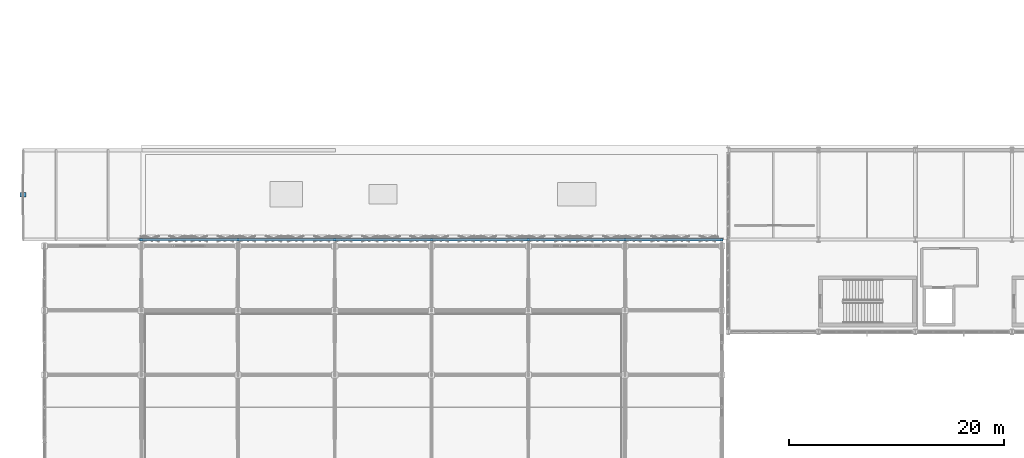
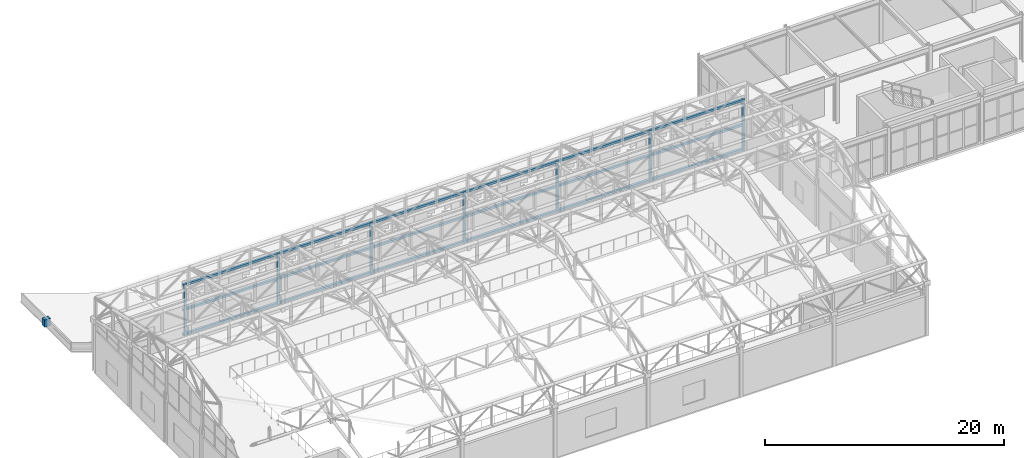
# One storey, part 99 of 112: 11 discrete accessories.
"""IFC4 building model written with IfcOpenShell, lengths in metres."""

from ifc_helpers import new_model, si_unit, direction, frame, origin, origin_2d, place, context, subcontext, project, spatial, rectangle, extrude, material, type_object, element, save


model = new_model("IFC4")

# Units and contexts
model_context = context("Model", 3, precision=1e-05, world=origin(), true_north=direction((0.0, 1.0)))
body_context = subcontext(model_context, "Body", "Model", "MODEL_VIEW")
ifc_project = project(units=[si_unit("LENGTHUNIT", "METRE"), si_unit("AREAUNIT", "SQUARE_METRE"), si_unit("VOLUMEUNIT", "CUBIC_METRE"), si_unit("PLANEANGLEUNIT", "RADIAN"), si_unit("MASSUNIT", "GRAM", prefix="KILO")], contexts=[model_context])

# Site, building, storey
site_placement = place(None, origin())
site = spatial("IfcSite", under=ifc_project, at=site_placement, CompositionType="ELEMENT")
building_placement = place(site_placement, origin())
building = spatial("IfcBuilding", under=site, at=building_placement, Name="Kaldris Quays Convention Centre", CompositionType="ELEMENT")
storey_placement = place(building_placement, frame((0.0, 0.0, 16.800048828125)))
storey = spatial("IfcBuildingStorey", under=building, at=storey_placement, Name="L03", CompositionType="ELEMENT", Elevation=16.800048828125)

# Discrete accessories
ifc_material = material(Name="Steel S355J2", Category="steel")
discrete_accessory_type = type_object("IfcDiscreteAccessoryType", Name="SCREEN OUTRIGGER BRACKET BK01", PredefinedType="BRACKET", material=ifc_material)
for number, where, z_axis, x_axis, name in (
    (1, (29.0, 46.56005859375, 0.280029296875), (0.0, 0.0, 1.0), (1.0, 0.0, 0.0), "V3NU Screen Vertical Carrier Mullion 477"),
    (2, (38.0, 46.56005859375, 0.280029296875), (0.0, 0.0, 1.0), (1.0, 0.0, 0.0), "V3NU Screen Vertical Carrier Mullion 480"),
    (3, (47.0, 46.56005859375, 0.280029296875), (0.0, 0.0, 1.0), (1.0, 0.0, 0.0), "V3NU Screen Vertical Carrier Mullion 483"),
    (4, (56.0, 46.56005859375, 0.280029296875), (0.0, 0.0, 1.0), (1.0, 0.0, 0.0), "V3NU Screen Vertical Carrier Mullion 486"),
    (5, (65.0, 46.56005859375, 0.280029296875), (0.0, 0.0, 1.0), (1.0, 0.0, 0.0), "V3NU Screen Vertical Carrier Mullion 489"),
    (6, (74.0, 46.56005859375, 0.280029296875), (0.0, 0.0, 1.0), (1.0, 0.0, 0.0), "V3NU Screen Vertical Carrier Mullion 492"),
    (7, (83.0, 46.56005859375, 0.280029296875), (0.0, 0.0, 1.0), (1.0, 0.0, 0.0), "V3NU Screen Vertical Carrier Mullion 495"),
):
    element("IfcDiscreteAccessory", number, at=place(storey_placement, frame(where, z_axis=z_axis, x_axis=x_axis)), inside=storey, type_object=discrete_accessory_type, Name=name, PredefinedType="BRACKET", context=body_context, shape_type="SweptSolid", body=[
        extrude(rectangle(XDim=0.199951171875, YDim=0.219970703125, at=origin_2d()), origin(), (0.0, 0.0, 1.0), 5.2900390625),
    ])
for number, where, z_axis, x_axis, name in (
    (8, (55.949951171875, 46.580078125, 0.2900390625), (0.0, 0.0, 1.0), (1.0, 0.0, 0.0), "V3NU Screen Carrier Rail 498"),
    (9, (55.949951171875, 46.580078125, 2.81494140625), (0.0, 0.0, 1.0), (1.0, 0.0, 0.0), "V3NU Screen Carrier Rail 499"),
    (10, (55.949951171875, 46.580078125, 5.33984375), (0.0, 0.0, 1.0), (1.0, 0.0, 0.0), "V3NU Screen Carrier Rail 500"),
):
    element("IfcDiscreteAccessory", number, at=place(storey_placement, frame(where, z_axis=z_axis, x_axis=x_axis)), inside=storey, type_object=discrete_accessory_type, Name=name, PredefinedType="BRACKET", context=body_context, shape_type="SweptSolid", body=[
        extrude(rectangle(XDim=54.300048828125, YDim=0.219970703125, at=origin_2d()), origin(), (0.0, 0.0, 1.0), 0.219970703125),
    ])
discrete_accessory_placement = place(storey_placement, frame((18.0, 50.75, 2.582763671875), z_axis=(0.0, 0.0, 1.0), x_axis=(0.0, 1.0, 0.0)))
element("IfcDiscreteAccessory", 11, at=discrete_accessory_placement, inside=storey, type_object=discrete_accessory_type, Name="WR-WEST Wing Eave Fascia Bracket 1", PredefinedType="BRACKET", context=body_context, shape_type="SweptSolid", body=[
    extrude(rectangle(XDim=0.39990234375, YDim=0.550048828125, at=origin_2d()), origin(), (0.0, 0.0, 1.0), 0.75),
])

save(model, "model.ifc")
